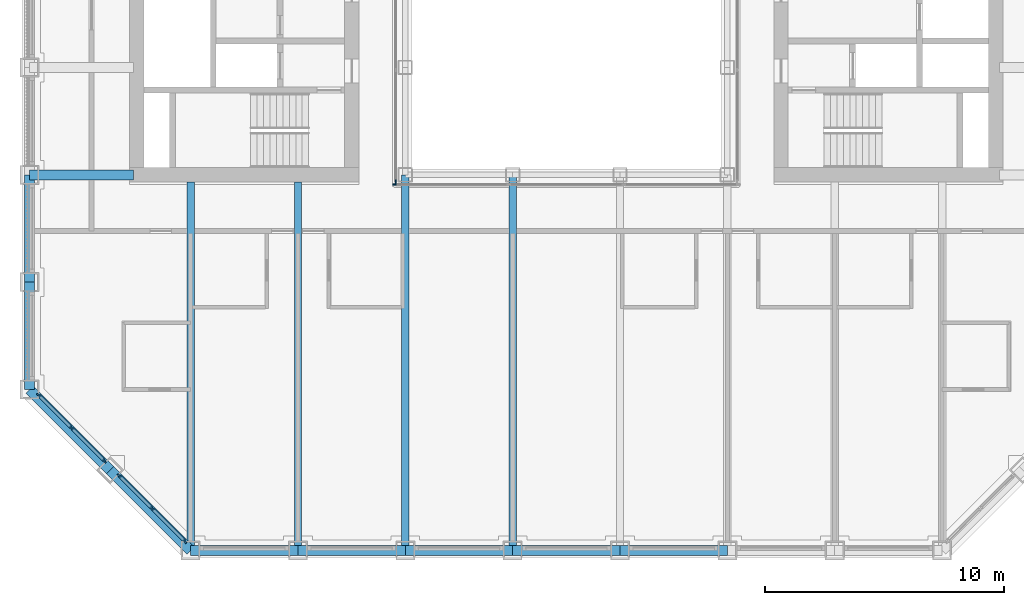
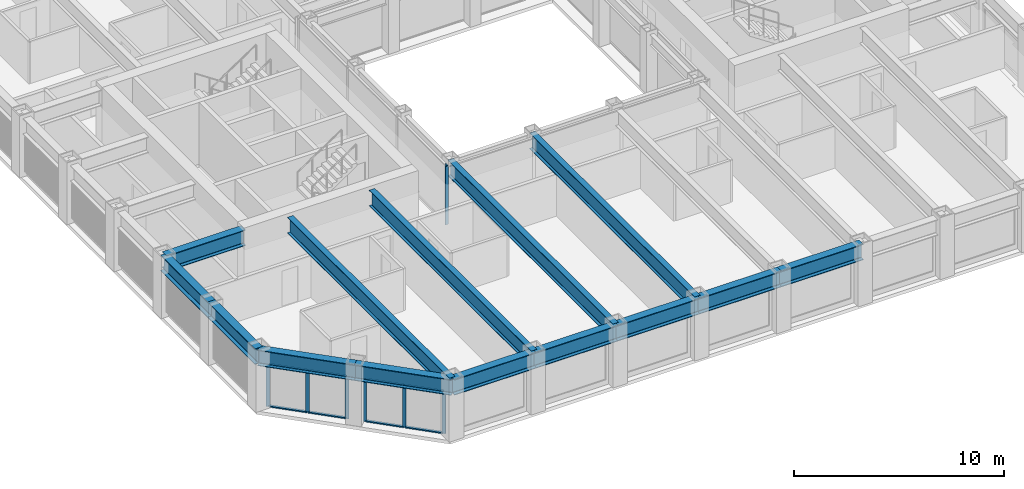
# One storey, part 2 of 17: 16 members, 14 beams, 4 elements without a shape of their own.
"""IFC4 building model written with IfcOpenShell, lengths in metres."""

from ifc_helpers import new_model, si_unit, direction, frame, origin, origin_2d, place, context, subcontext, project, spatial, rectangle, i_section, extrude, material, material_profile, profile_set, type_object, element, aggregate, save


model = new_model("IFC4")

# Units and contexts
model_context = context("Model", 3, precision=1e-05, world=origin(), true_north=direction((0.0, 1.0)))
body_context = subcontext(model_context, "Body", "Model", "MODEL_VIEW")
ifc_project = project(units=[si_unit("LENGTHUNIT", "METRE"), si_unit("AREAUNIT", "SQUARE_METRE"), si_unit("VOLUMEUNIT", "CUBIC_METRE"), si_unit("PLANEANGLEUNIT", "RADIAN"), si_unit("MASSUNIT", "GRAM", prefix="KILO")], contexts=[model_context])

# Site, building, storey
site_placement = place(None, origin())
site = spatial("IfcSite", under=ifc_project, at=site_placement, CompositionType="ELEMENT")
building_placement = place(site_placement, origin())
building = spatial("IfcBuilding", under=site, at=building_placement, Name="Msasa Ring Tower", CompositionType="ELEMENT")
storey_placement = place(building_placement, frame((0.0, 0.0, 129.199951171875)))
storey = spatial("IfcBuildingStorey", under=building, at=storey_placement, Name="L33", CompositionType="ELEMENT", Elevation=129.199951171875)

# Curtain wall, members
ifc_material_1 = material(Name="Aluminium curtain wall with clear glass", Category="aluminium")
curtain_wall_type_1 = type_object("IfcCurtainWallType", Name="CW-C CHAMFER CORNER CURTAIN WALL", PredefinedType="NOTDEFINED", material=ifc_material_1)
curtain_wall_1_placement = place(storey_placement, origin())
curtain_wall_1 = element("IfcCurtainWall", 1, at=curtain_wall_1_placement, inside=storey, type_object=curtain_wall_type_1, Name="Chamfer corner curtain wall SW L33", PredefinedType="NOTDEFINED")
ifc_material_2 = material(Name="Aluminium mullion", Category="aluminium")
ifc_material_profile_1 = material_profile(ifc_material_2, rectangle(XDim=0.06494140625, YDim=0.179931640625, at=origin_2d()), Name="AL 65x180")
ifc_profile_set_1 = profile_set([ifc_material_profile_1], Name="Aluminium mullion")
member_type_1 = type_object("IfcMemberType", Name="CW-C MULLION 65x180", PredefinedType="MULLION", material=ifc_profile_set_1)
member_1_placement = place(storey_placement, frame((-22.119873046875, -15.98876953125, 0.0), z_axis=(0.0, 0.0, 1.0), x_axis=(0.707106781187, 0.707106781187, 0.0)))
member_1 = element("IfcMember", 2, at=member_1_placement, type_object=member_type_1, Name="CW-C mullion 1", PredefinedType="MULLION", context=body_context, shape_type="SweptSolid", body=[
    extrude(rectangle(XDim=0.06494140625, YDim=0.179931640625, at=origin_2d()), origin(), (0.0, 0.0, 1.0), 2.47900390625),
])
member_2_placement = place(storey_placement, frame((-20.74169921875, -17.36669921875, 0.0), z_axis=(0.0, 0.0, 1.0), x_axis=(0.707106781187, 0.707106781187, 0.0)))
member_2 = element("IfcMember", 3, at=member_2_placement, type_object=member_type_1, Name="CW-C mullion 2", PredefinedType="MULLION", context=body_context, shape_type="SweptSolid", body=[
    extrude(rectangle(XDim=0.06494140625, YDim=0.179931640625, at=origin_2d()), origin(), (0.0, 0.0, 1.0), 2.47900390625),
])
member_3_placement = place(storey_placement, frame((-19.36376953125, -18.744873046875, 0.0), z_axis=(0.0, 0.0, 1.0), x_axis=(0.707106781187, 0.707106781187, 0.0)))
member_3 = element("IfcMember", 4, at=member_3_placement, type_object=member_type_1, Name="CW-C mullion 3", PredefinedType="MULLION", context=body_context, shape_type="SweptSolid", body=[
    extrude(rectangle(XDim=0.06494140625, YDim=0.179931640625, at=origin_2d()), origin(), (0.0, 0.0, 1.0), 2.47900390625),
])

curtain_wall_2_placement = place(storey_placement, origin())
curtain_wall_2 = element("IfcCurtainWall", 5, at=curtain_wall_2_placement, inside=storey, type_object=curtain_wall_type_1, Name="Chamfer corner curtain wall SW L33", PredefinedType="NOTDEFINED")
member_4_placement = place(storey_placement, frame((-18.744873046875, -19.36376953125, 0.0), z_axis=(0.0, 0.0, 1.0), x_axis=(0.707106781187, 0.707106781187, 0.0)))
member_4 = element("IfcMember", 6, at=member_4_placement, type_object=member_type_1, Name="CW-C mullion 1", PredefinedType="MULLION", context=body_context, shape_type="SweptSolid", body=[
    extrude(rectangle(XDim=0.06494140625, YDim=0.179931640625, at=origin_2d()), origin(), (0.0, 0.0, 1.0), 2.47900390625),
])
member_5_placement = place(storey_placement, frame((-17.36669921875, -20.74169921875, 0.0), z_axis=(0.0, 0.0, 1.0), x_axis=(0.707106781187, 0.707106781187, 0.0)))
member_5 = element("IfcMember", 7, at=member_5_placement, type_object=member_type_1, Name="CW-C mullion 2", PredefinedType="MULLION", context=body_context, shape_type="SweptSolid", body=[
    extrude(rectangle(XDim=0.06494140625, YDim=0.179931640625, at=origin_2d()), origin(), (0.0, 0.0, 1.0), 2.47900390625),
])
member_6_placement = place(storey_placement, frame((-15.98876953125, -22.119873046875, 0.0), z_axis=(0.0, 0.0, 1.0), x_axis=(0.707106781187, 0.707106781187, 0.0)))
member_6 = element("IfcMember", 8, at=member_6_placement, type_object=member_type_1, Name="CW-C mullion 3", PredefinedType="MULLION", context=body_context, shape_type="SweptSolid", body=[
    extrude(rectangle(XDim=0.06494140625, YDim=0.179931640625, at=origin_2d()), origin(), (0.0, 0.0, 1.0), 2.47900390625),
])

# Member
ifc_material_3 = material(Name="Aluminium transom", Category="aluminium")
ifc_material_profile_2 = material_profile(ifc_material_3, rectangle(XDim=0.139892578125, YDim=0.06494140625, at=origin_2d()), Name="AL 65x140")
ifc_profile_set_2 = profile_set([ifc_material_profile_2], Name="Aluminium transom")
member_type_2 = type_object("IfcMemberType", Name="CW-C TRANSOM 65x140", PredefinedType="USERDEFINED", material=ifc_profile_set_2)
member_7_placement = place(storey_placement, frame((-22.096923828125, -16.01171875, 0.032470703125), z_axis=(0.707106781187, -0.707106781187, 0.0), x_axis=(0.707106781187, 0.707106781187, 0.0)))
member_7 = element("IfcMember", 9, at=member_7_placement, type_object=member_type_2, Name="CW-C transom 1.1", ObjectType="TRANSOM", PredefinedType="USERDEFINED", context=body_context, shape_type="SweptSolid", body=[
    extrude(rectangle(XDim=0.139892578125, YDim=0.06494140625, at=origin_2d()), origin(), (0.0, 0.0, 1.0), 1.8837890625),
])

member_8_placement = place(storey_placement, frame((-22.096923828125, -16.01171875, 2.446533203125), z_axis=(0.707106781187, -0.707106781187, 0.0), x_axis=(0.707106781187, 0.707106781187, 0.0)))
member_8 = element("IfcMember", 10, at=member_8_placement, type_object=member_type_2, Name="CW-C transom 1.2", ObjectType="TRANSOM", PredefinedType="USERDEFINED", context=body_context, shape_type="SweptSolid", body=[
    extrude(rectangle(XDim=0.139892578125, YDim=0.06494140625, at=origin_2d()), origin(), (0.0, 0.0, 1.0), 1.8837890625),
])

member_9_placement = place(storey_placement, frame((-20.71875, -17.389892578125, 0.032470703125), z_axis=(0.707106781187, -0.707106781187, 0.0), x_axis=(0.707106781187, 0.707106781187, 0.0)))
member_9 = element("IfcMember", 11, at=member_9_placement, type_object=member_type_2, Name="CW-C transom 2.1", ObjectType="TRANSOM", PredefinedType="USERDEFINED", context=body_context, shape_type="SweptSolid", body=[
    extrude(rectangle(XDim=0.139892578125, YDim=0.06494140625, at=origin_2d()), origin(), (0.0, 0.0, 1.0), 1.8837890625),
])

member_10_placement = place(storey_placement, frame((-20.71875, -17.389892578125, 2.446533203125), z_axis=(0.707106781187, -0.707106781187, 0.0), x_axis=(0.707106781187, 0.707106781187, 0.0)))
member_10 = element("IfcMember", 12, at=member_10_placement, type_object=member_type_2, Name="CW-C transom 2.2", ObjectType="TRANSOM", PredefinedType="USERDEFINED", context=body_context, shape_type="SweptSolid", body=[
    extrude(rectangle(XDim=0.139892578125, YDim=0.06494140625, at=origin_2d()), origin(), (0.0, 0.0, 1.0), 1.8837890625),
])

aggregate(curtain_wall_1, [member_1, member_2, member_3, member_7, member_8, member_9, member_10])

member_11_placement = place(storey_placement, frame((-18.721923828125, -19.38671875, 0.032470703125), z_axis=(0.707106781187, -0.707106781187, 0.0), x_axis=(0.707106781187, 0.707106781187, 0.0)))
member_11 = element("IfcMember", 13, at=member_11_placement, type_object=member_type_2, Name="CW-C transom 1.1", ObjectType="TRANSOM", PredefinedType="USERDEFINED", context=body_context, shape_type="SweptSolid", body=[
    extrude(rectangle(XDim=0.139892578125, YDim=0.06494140625, at=origin_2d()), origin(), (0.0, 0.0, 1.0), 1.8837890625),
])

member_12_placement = place(storey_placement, frame((-18.721923828125, -19.38671875, 2.446533203125), z_axis=(0.707106781187, -0.707106781187, 0.0), x_axis=(0.707106781187, 0.707106781187, 0.0)))
member_12 = element("IfcMember", 14, at=member_12_placement, type_object=member_type_2, Name="CW-C transom 1.2", ObjectType="TRANSOM", PredefinedType="USERDEFINED", context=body_context, shape_type="SweptSolid", body=[
    extrude(rectangle(XDim=0.139892578125, YDim=0.06494140625, at=origin_2d()), origin(), (0.0, 0.0, 1.0), 1.8837890625),
])

member_13_placement = place(storey_placement, frame((-17.34375, -20.764892578125, 0.032470703125), z_axis=(0.707106781187, -0.707106781187, 0.0), x_axis=(0.707106781187, 0.707106781187, 0.0)))
member_13 = element("IfcMember", 15, at=member_13_placement, type_object=member_type_2, Name="CW-C transom 2.1", ObjectType="TRANSOM", PredefinedType="USERDEFINED", context=body_context, shape_type="SweptSolid", body=[
    extrude(rectangle(XDim=0.139892578125, YDim=0.06494140625, at=origin_2d()), origin(), (0.0, 0.0, 1.0), 1.8837890625),
])

member_14_placement = place(storey_placement, frame((-17.34375, -20.764892578125, 2.446533203125), z_axis=(0.707106781187, -0.707106781187, 0.0), x_axis=(0.707106781187, 0.707106781187, 0.0)))
member_14 = element("IfcMember", 16, at=member_14_placement, type_object=member_type_2, Name="CW-C transom 2.2", ObjectType="TRANSOM", PredefinedType="USERDEFINED", context=body_context, shape_type="SweptSolid", body=[
    extrude(rectangle(XDim=0.139892578125, YDim=0.06494140625, at=origin_2d()), origin(), (0.0, 0.0, 1.0), 1.8837890625),
])

aggregate(curtain_wall_2, [member_4, member_5, member_6, member_11, member_12, member_13, member_14])

# Curtain wall, member
ifc_material_4 = material(Name="Aluminium curtain wall with clear glass", Category="aluminium")
curtain_wall_type_2 = type_object("IfcCurtainWallType", Name="CW-W LIGHT WELL CURTAIN WALL", PredefinedType="NOTDEFINED", material=ifc_material_4)
curtain_wall_3_placement = place(storey_placement, origin())
curtain_wall_3 = element("IfcCurtainWall", 17, at=curtain_wall_3_placement, inside=storey, type_object=curtain_wall_type_2, Name="Light well curtain wall S L33", PredefinedType="NOTDEFINED")
ifc_material_5 = material(Name="Aluminium mullion", Category="aluminium")
ifc_material_profile_3 = material_profile(ifc_material_5, rectangle(XDim=0.06005859375, YDim=0.159912109375, at=origin_2d()), Name="AL 60x160")
ifc_profile_set_3 = profile_set([ifc_material_profile_3], Name="Aluminium mullion")
member_type_3 = type_object("IfcMemberType", Name="CW-W MULLION 60x160", PredefinedType="MULLION", material=ifc_profile_set_3)
member_15_placement = place(storey_placement, frame((-7.199951171875, -7.14990234375, 0.0), z_axis=(0.0, 0.0, 1.0), x_axis=(0.0, 1.0, 0.0)))
member_15 = element("IfcMember", 18, at=member_15_placement, type_object=member_type_3, Name="CW-W mullion 1", PredefinedType="MULLION", context=body_context, shape_type="SweptSolid", body=[
    extrude(rectangle(XDim=0.06005859375, YDim=0.159912109375, at=origin_2d()), origin(), (0.0, 0.0, 1.0), 3.400146484375),
])
aggregate(curtain_wall_3, [member_15])

curtain_wall_4_placement = place(storey_placement, origin())
curtain_wall_4 = element("IfcCurtainWall", 19, at=curtain_wall_4_placement, inside=storey, type_object=curtain_wall_type_2, Name="Light well curtain wall W L33", PredefinedType="NOTDEFINED")
member_16_placement = place(storey_placement, frame((-7.14990234375, -7.0400390625, 0.0), z_axis=(0.0, 0.0, 1.0), x_axis=(-1.0, 0.0, 0.0)))
member_16 = element("IfcMember", 20, at=member_16_placement, type_object=member_type_3, Name="CW-W mullion 1", PredefinedType="MULLION", context=body_context, shape_type="SweptSolid", body=[
    extrude(rectangle(XDim=0.06005859375, YDim=0.159912109375, at=origin_2d()), origin(), (0.0, 0.0, 1.0), 3.400146484375),
])
aggregate(curtain_wall_4, [member_16])

# Beams
ifc_material_6 = material(Name="Steel S355", Category="steel")
ifc_material_profile_4 = material_profile(ifc_material_6, i_section(OverallWidth=0.3076171875, OverallDepth=0.926513671875, WebThickness=0.01953125, FlangeThickness=0.031982421875, FilletRadius=0.01904296875, at=origin_2d()), Name="UB 914x305x289")
ifc_profile_set_4 = profile_set([ifc_material_profile_4], Name="Steel S355")
beam_type_1 = type_object("IfcBeamType", Name="FB3 UB 914x305x289", PredefinedType="BEAM", material=ifc_profile_set_4)
for number, where, z_axis, x_axis, name in (
    (21, (-15.75, -22.5, 2.936767578125), (0.0, 1.0, 0.0), (-1.0, 0.0, 0.0), "Floor beam S-15.75 under L34"),
    (22, (-11.25, -22.5, 2.936767578125), (0.0, 1.0, 0.0), (-1.0, 0.0, 0.0), "Floor beam S-11.25 under L34"),
):
    element("IfcBeam", number, at=place(storey_placement, frame(where, z_axis=z_axis, x_axis=x_axis)), inside=storey, type_object=beam_type_1, Name=name, PredefinedType="BEAM", context=body_context, shape_type="SweptSolid", body=[
        extrude(i_section(OverallWidth=0.3076171875, OverallDepth=0.926513671875, WebThickness=0.01953125, FlangeThickness=0.031982421875, FilletRadius=0.01904296875, at=origin_2d()), origin(), (0.0, 0.0, 1.0), 15.449951171875),
    ])
for number, where, z_axis, x_axis, name in (
    (23, (-6.75, -22.5, 2.936767578125), (0.0, 1.0, 0.0), (-1.0, 0.0, 0.0), "Floor beam S-6.75 under L34"),
    (24, (-2.25, -22.5, 2.936767578125), (0.0, 1.0, 0.0), (-1.0, 0.0, 0.0), "Floor beam S-2.25 under L34"),
):
    element("IfcBeam", number, at=place(storey_placement, frame(where, z_axis=z_axis, x_axis=x_axis)), inside=storey, type_object=beam_type_1, Name=name, PredefinedType="BEAM", context=body_context, shape_type="SweptSolid", body=[
        extrude(i_section(OverallWidth=0.3076171875, OverallDepth=0.926513671875, WebThickness=0.01953125, FlangeThickness=0.031982421875, FilletRadius=0.01904296875, at=origin_2d()), origin(), (0.0, 0.0, 1.0), 15.75),
    ])
ifc_material_7 = material(Name="Steel S355", Category="steel")
ifc_material_profile_5 = material_profile(ifc_material_7, i_section(OverallWidth=0.42041015625, OverallDepth=0.9208984375, WebThickness=0.021484375, FlangeThickness=0.03662109375, FilletRadius=0.024169921875, at=origin_2d()), Name="UB 914x419x388")
ifc_profile_set_5 = profile_set([ifc_material_profile_5], Name="Steel S355")
beam_type_2 = type_object("IfcBeamType", Name="GB1 UB 914x419x388", PredefinedType="BEAM", material=ifc_profile_set_5)
beam_placement = place(storey_placement, frame((-18.14990234375, -6.75, 2.939453125), z_axis=(-1.0, 0.0, 0.0), x_axis=(0.0, -1.0, 0.0)))
element("IfcBeam", 25, at=beam_placement, inside=storey, type_object=beam_type_2, Name="Girder W -6.75 under L34", PredefinedType="BEAM", context=body_context, shape_type="SweptSolid", body=[
    extrude(i_section(OverallWidth=0.42041015625, OverallDepth=0.9208984375, WebThickness=0.021484375, FlangeThickness=0.03662109375, FilletRadius=0.024169921875, at=origin_2d()), origin(), (0.0, 0.0, 1.0), 4.35009765625),
])
ifc_material_8 = material(Name="Steel S355", Category="steel")
ifc_material_profile_6 = material_profile(ifc_material_8, i_section(OverallWidth=0.42041015625, OverallDepth=0.9208984375, WebThickness=0.021484375, FlangeThickness=0.03662109375, FilletRadius=0.024169921875, at=origin_2d()), Name="UB 914x419x388")
ifc_profile_set_6 = profile_set([ifc_material_profile_6], Name="Steel S355")
beam_type_3 = type_object("IfcBeamType", Name="SB1 UB 914x419x388", PredefinedType="SPANDREL", material=ifc_profile_set_6)
for number, where, z_axis, x_axis, name in (
    (26, (-22.5, -6.75, 2.939453125), (0.0, -1.0, 0.0), (1.0, 0.0, 0.0), "Spandrel W-6.75 to W-11.25 under L34"),
    (27, (-22.5, -11.25, 2.939453125), (0.0, -1.0, 0.0), (1.0, 0.0, 0.0), "Spandrel W-11.25 to W-15.75 under L34"),
):
    element("IfcBeam", number, at=place(storey_placement, frame(where, z_axis=z_axis, x_axis=x_axis)), inside=storey, type_object=beam_type_3, Name=name, PredefinedType="SPANDREL", context=body_context, shape_type="SweptSolid", body=[
        extrude(i_section(OverallWidth=0.42041015625, OverallDepth=0.9208984375, WebThickness=0.021484375, FlangeThickness=0.03662109375, FilletRadius=0.024169921875, at=origin_2d()), origin(), (0.0, 0.0, 1.0), 4.5),
    ])
for number, where, z_axis, x_axis, name in (
    (28, (-22.5, -15.75, 2.939453125), (0.707106781187, -0.707106781187, 0.0), (0.707106781187, 0.707106781187, 0.0), "Spandrel W-15.75 to SW under L34"),
    (29, (-19.125, -19.125, 2.939453125), (0.707106781187, -0.707106781187, 0.0), (0.707106781187, 0.707106781187, 0.0), "Spandrel SW to S-15.75 under L34"),
):
    element("IfcBeam", number, at=place(storey_placement, frame(where, z_axis=z_axis, x_axis=x_axis)), inside=storey, type_object=beam_type_3, Name=name, PredefinedType="SPANDREL", context=body_context, shape_type="SweptSolid", body=[
        extrude(i_section(OverallWidth=0.42041015625, OverallDepth=0.9208984375, WebThickness=0.021484375, FlangeThickness=0.03662109375, FilletRadius=0.024169921875, at=origin_2d()), origin(), (0.0, 0.0, 1.0), 4.77294921875),
    ])
for number, where, z_axis, x_axis, name in (
    (30, (-15.75, -22.5, 2.939453125), (1.0, 0.0, 0.0), (0.0, 1.0, 0.0), "Spandrel S-15.75 to S-11.25 under L34"),
    (31, (-11.25, -22.5, 2.939453125), (1.0, 0.0, 0.0), (0.0, 1.0, 0.0), "Spandrel S-11.25 to S-6.75 under L34"),
    (32, (-6.75, -22.5, 2.939453125), (1.0, 0.0, 0.0), (0.0, 1.0, 0.0), "Spandrel S-6.75 to S-2.25 under L34"),
    (33, (-2.25, -22.5, 2.939453125), (1.0, 0.0, 0.0), (0.0, 1.0, 0.0), "Spandrel S-2.25 to S+2.25 under L34"),
    (34, (2.25, -22.5, 2.939453125), (1.0, 0.0, 0.0), (0.0, 1.0, 0.0), "Spandrel S+2.25 to S+6.75 under L34"),
):
    element("IfcBeam", number, at=place(storey_placement, frame(where, z_axis=z_axis, x_axis=x_axis)), inside=storey, type_object=beam_type_3, Name=name, PredefinedType="SPANDREL", context=body_context, shape_type="SweptSolid", body=[
        extrude(i_section(OverallWidth=0.42041015625, OverallDepth=0.9208984375, WebThickness=0.021484375, FlangeThickness=0.03662109375, FilletRadius=0.024169921875, at=origin_2d()), origin(), (0.0, 0.0, 1.0), 4.5),
    ])

save(model, "model.ifc")
